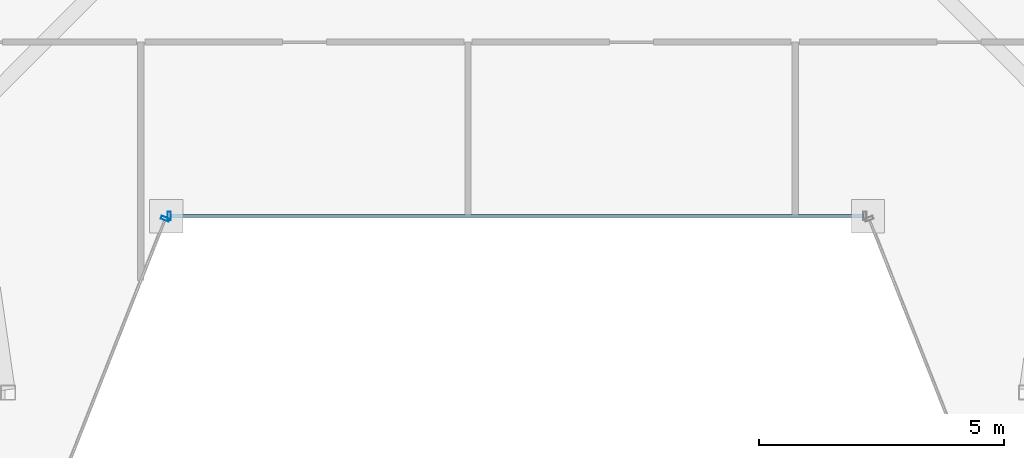
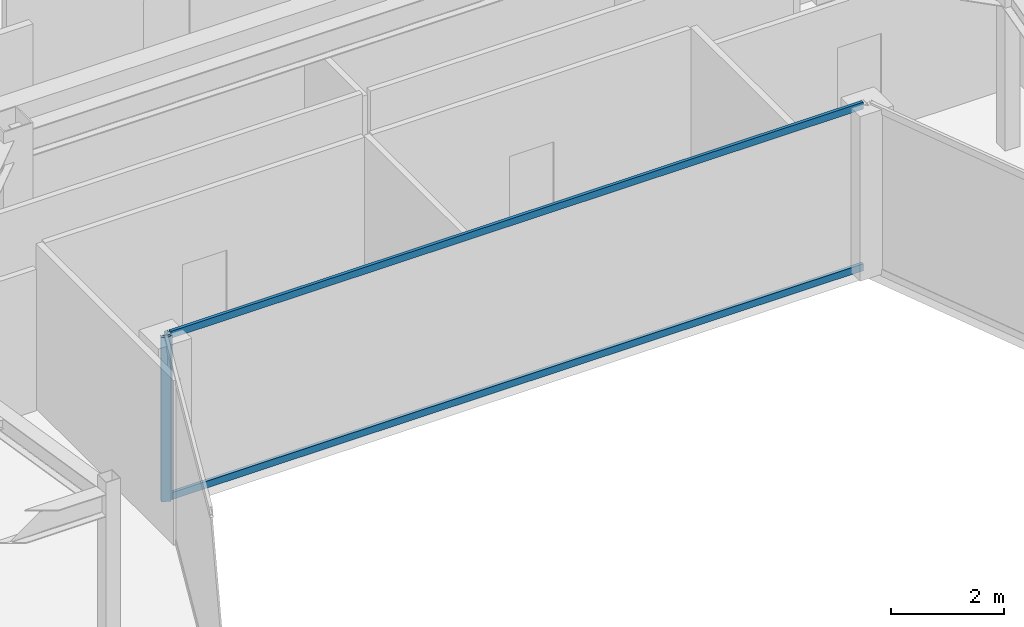
# One storey, part 6 of 23: 4 members, 2 elements without a shape of their own.
"""IFC4 building model written with IfcOpenShell, lengths in metres."""

from ifc_helpers import new_model, si_unit, direction, frame, origin, origin_2d, place, context, subcontext, project, spatial, hollow_rectangle, extrude, material, material_profile, profile_set, type_object, element, aggregate, save


model = new_model("IFC4")

# Units and contexts
model_context = context("Model", 3, precision=1e-05, world=origin(), true_north=direction((0.0, 1.0)))
body_context = subcontext(model_context, "Body", "Model", "MODEL_VIEW")
ifc_project = project(units=[si_unit("LENGTHUNIT", "METRE"), si_unit("AREAUNIT", "SQUARE_METRE"), si_unit("VOLUMEUNIT", "CUBIC_METRE"), si_unit("PLANEANGLEUNIT", "RADIAN"), si_unit("MASSUNIT", "GRAM", prefix="KILO")], contexts=[model_context])

# Site, building, storey
site_placement = place(None, origin())
site = spatial("IfcSite", under=ifc_project, at=site_placement, CompositionType="ELEMENT")
building_placement = place(site_placement, origin())
building = spatial("IfcBuilding", under=site, at=building_placement, Name="Saevonmaru Cultural Tower", CompositionType="ELEMENT")
storey_placement = place(building_placement, frame((0.0, 0.0, 283.800048828125)))
storey = spatial("IfcBuildingStorey", under=building, at=storey_placement, Name="L67", CompositionType="ELEMENT", Elevation=283.800048828125)

# Curtain wall, member
ifc_material = material(Name="Satin Bronze Anodised Aluminium", Category="aluminium")
curtain_wall_type = type_object("IfcCurtainWallType", Name="CW-TYP-B", PredefinedType="NOTDEFINED", material=ifc_material)
curtain_wall_1_placement = place(storey_placement, origin())
curtain_wall_1 = element("IfcCurtainWall", 1, at=curtain_wall_1_placement, inside=storey, type_object=curtain_wall_type, Name="L67 Unitised Curtain Wall E3", PredefinedType="NOTDEFINED")
ifc_material_profile_1 = material_profile(ifc_material, hollow_rectangle(XDim=0.06494140625, YDim=0.179931640625, WallThickness=0.00390625, at=origin_2d()), Name="ALU-MULL-180x65x4")
ifc_profile_set_1 = profile_set([ifc_material_profile_1], Name="Satin Bronze Anodised Aluminium")
member_type_1 = type_object("IfcMemberType", Name="ML-CW-180x65", PredefinedType="MULLION", material=ifc_profile_set_1)
member_1_placement = place(storey_placement, frame((22.822509765625, 35.544189453125, 0.0), z_axis=(0.0, 0.0, 1.0), x_axis=(0.367172185578, 0.930152990716, 0.0)))
member_1 = element("IfcMember", 2, at=member_1_placement, type_object=member_type_1, Name="CW-TW-L67-E3 mullion 2", PredefinedType="MULLION", context=body_context, shape_type="SweptSolid", body=[
    extrude(hollow_rectangle(XDim=0.06494140625, YDim=0.179931640625, WallThickness=0.00390625, at=origin_2d()), origin(), (0.0, 0.0, 1.0), 3.550048828125),
])
aggregate(curtain_wall_1, [member_1])

# Curtain wall, members
curtain_wall_2_placement = place(storey_placement, origin())
curtain_wall_2 = element("IfcCurtainWall", 3, at=curtain_wall_2_placement, inside=storey, type_object=curtain_wall_type, Name="L67 Unitised Curtain Wall E4", PredefinedType="NOTDEFINED")
member_2_placement = place(storey_placement, frame((22.904296875, 35.60009765625, 0.0), z_axis=(0.0, 0.0, 1.0), x_axis=(1.0, 0.0, 0.0)))
member_2 = element("IfcMember", 4, at=member_2_placement, type_object=member_type_1, Name="CW-TW-L67-E4 mullion 1", PredefinedType="MULLION", context=body_context, shape_type="SweptSolid", body=[
    extrude(hollow_rectangle(XDim=0.06494140625, YDim=0.179931640625, WallThickness=0.00390625, at=origin_2d()), origin(), (0.0, 0.0, 1.0), 3.550048828125),
])
ifc_material_profile_2 = material_profile(ifc_material, hollow_rectangle(XDim=0.06494140625, YDim=0.14990234375, WallThickness=0.00390625, at=origin_2d()), Name="ALU-TRAN-150x65x4")
ifc_profile_set_2 = profile_set([ifc_material_profile_2], Name="Satin Bronze Anodised Aluminium")
member_type_2 = type_object("IfcMemberType", Name="TR-CW-150x65", PredefinedType="USERDEFINED", material=ifc_profile_set_2)
member_3_placement = place(storey_placement, frame((22.93701171875, 35.60009765625, 0.032470703125), z_axis=(1.0, 0.0, 0.0), x_axis=(0.0, 1.0, 0.0)))
member_3 = element("IfcMember", 5, at=member_3_placement, type_object=member_type_2, Name="CW-TW-L67-E4 transom 1.1", ObjectType="TRANSOM", PredefinedType="USERDEFINED", context=body_context, shape_type="SweptSolid", body=[
    extrude(hollow_rectangle(XDim=0.06494140625, YDim=0.14990234375, WallThickness=0.00390625, at=origin_2d()), origin(), (0.0, 0.0, 1.0), 14.1259765625),
])
member_4_placement = place(storey_placement, frame((22.93701171875, 35.60009765625, 3.517333984375), z_axis=(1.0, 0.0, 0.0), x_axis=(0.0, 1.0, 0.0)))
member_4 = element("IfcMember", 6, at=member_4_placement, type_object=member_type_2, Name="CW-TW-L67-E4 transom 1.2", ObjectType="TRANSOM", PredefinedType="USERDEFINED", context=body_context, shape_type="SweptSolid", body=[
    extrude(hollow_rectangle(XDim=0.06494140625, YDim=0.14990234375, WallThickness=0.00390625, at=origin_2d()), origin(), (0.0, 0.0, 1.0), 14.1259765625),
])
aggregate(curtain_wall_2, [member_2, member_3, member_4])

save(model, "model.ifc")
